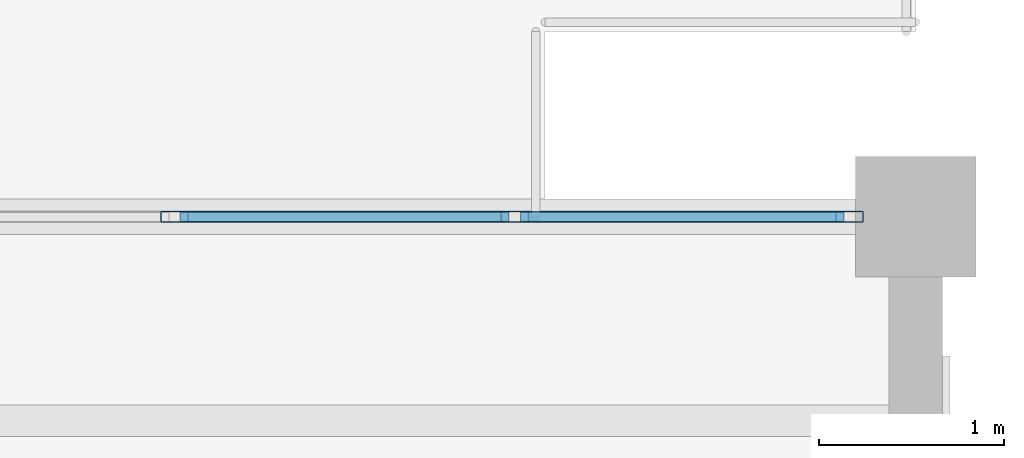
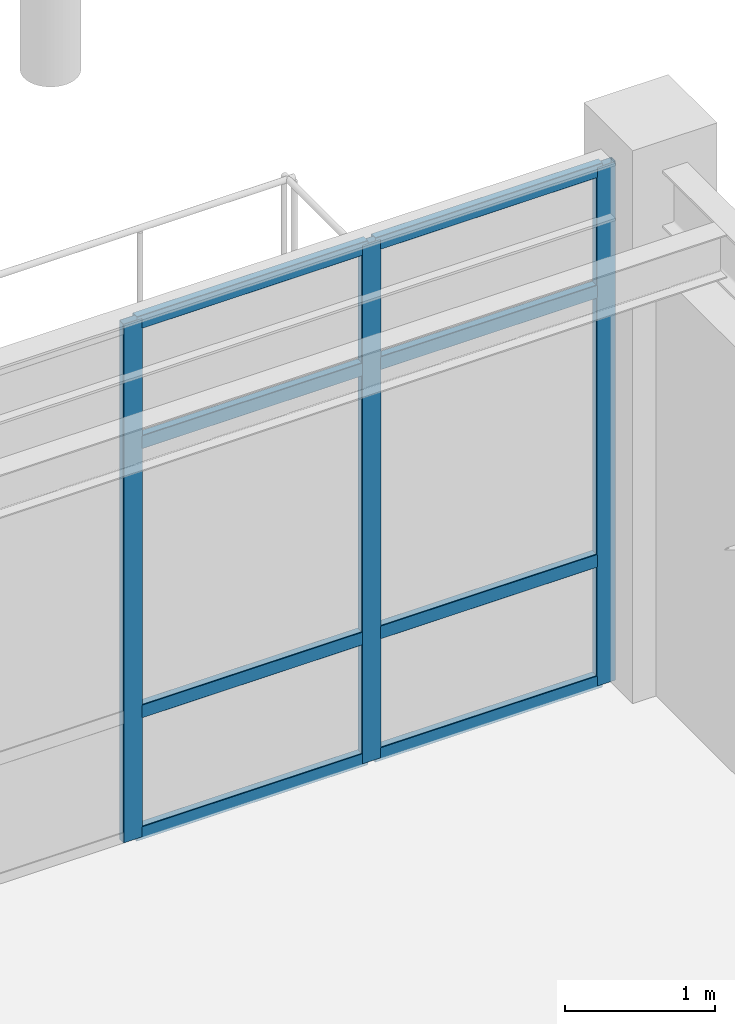
# One storey, part 29 of 78: 11 members, 1 element without a shape of its own.
"""IFC4 building model written with IfcOpenShell, lengths in metres."""

from ifc_helpers import new_model, si_unit, direction, frame, origin, origin_2d, place, context, subcontext, project, spatial, hollow_rectangle, extrude, material, material_profile, profile_set, type_object, element, aggregate, save


model = new_model("IFC4")

# Units and contexts
model_context = context("Model", 3, precision=1e-05, world=origin(), true_north=direction((0.0, 1.0)))
body_context = subcontext(model_context, "Body", "Model", "MODEL_VIEW")
ifc_project = project(units=[si_unit("LENGTHUNIT", "METRE"), si_unit("AREAUNIT", "SQUARE_METRE"), si_unit("VOLUMEUNIT", "CUBIC_METRE"), si_unit("PLANEANGLEUNIT", "RADIAN"), si_unit("MASSUNIT", "GRAM", prefix="KILO")], contexts=[model_context])

# Site, building, storey
site_placement = place(None, origin())
site = spatial("IfcSite", under=ifc_project, at=site_placement, CompositionType="ELEMENT")
building_placement = place(site_placement, origin())
building = spatial("IfcBuilding", under=site, at=building_placement, Name="Solmirada Galleria", CompositionType="ELEMENT")
storey_placement = place(building_placement, frame((0.0, 0.0, 23.89990234375)))
storey = spatial("IfcBuildingStorey", under=building, at=storey_placement, Name="L05", CompositionType="ELEMENT", Elevation=23.89990234375)

# Curtain wall, members
ifc_material_1 = material(Name="Impact-resistant low-E double glazing", Category="glass")
curtain_wall_type = type_object("IfcCurtainWallType", Name="CW-FZ5-L05-B4-L074", PredefinedType="NOTDEFINED", material=ifc_material_1)
curtain_wall_placement = place(storey_placement, origin())
curtain_wall = element("IfcCurtainWall", 1, at=curtain_wall_placement, inside=storey, type_object=curtain_wall_type, Name="Terrace and arcade storefront CW-L05-184", PredefinedType="NOTDEFINED")
ifc_material_2 = material(Name="Anodised aluminium framing", Category="aluminium")
ifc_material_profile_1 = material_profile(ifc_material_2, hollow_rectangle(XDim=0.06005859375, YDim=0.14990234375, WallThickness=0.00341796875, InnerFilletRadius=0.00341796875, OuterFilletRadius=0.007080078125, at=origin_2d()), Name="ALU-MULL-150X60")
ifc_profile_set_1 = profile_set([ifc_material_profile_1], Name="Anodised aluminium framing")
member_type_1 = type_object("IfcMemberType", Name="CW-MULL-150", PredefinedType="MULLION", material=ifc_profile_set_1)
member_1_placement = place(storey_placement, frame((132.0, 24.0, 0.0), z_axis=(0.0, 0.0, 1.0), x_axis=(0.0, 1.0, 0.0)))
member_1 = element("IfcMember", 2, at=member_1_placement, type_object=member_type_1, Name="CW37 mullion 3", PredefinedType="MULLION", context=body_context, shape_type="SweptSolid", body=[
    extrude(hollow_rectangle(XDim=0.06005859375, YDim=0.14990234375, WallThickness=0.00341796875, InnerFilletRadius=0.00341796875, OuterFilletRadius=0.007080078125, at=origin_2d()), origin(), (0.0, 0.0, 1.0), 4.22021484375),
])
member_2_placement = place(storey_placement, frame((133.83642578125, 24.0, 0.0), z_axis=(0.0, 0.0, 1.0), x_axis=(0.0, 1.0, 0.0)))
member_2 = element("IfcMember", 3, at=member_2_placement, type_object=member_type_1, Name="CW37 mullion 4", PredefinedType="MULLION", context=body_context, shape_type="SweptSolid", body=[
    extrude(hollow_rectangle(XDim=0.06005859375, YDim=0.14990234375, WallThickness=0.00341796875, InnerFilletRadius=0.00341796875, OuterFilletRadius=0.007080078125, at=origin_2d()), origin(), (0.0, 0.0, 1.0), 4.22021484375),
])
member_3_placement = place(storey_placement, frame((135.64306640625, 24.0, 0.0), z_axis=(0.0, 0.0, 1.0), x_axis=(0.0, 1.0, 0.0)))
member_3 = element("IfcMember", 4, at=member_3_placement, type_object=member_type_1, Name="CW37 mullion 5", PredefinedType="MULLION", context=body_context, shape_type="SweptSolid", body=[
    extrude(hollow_rectangle(XDim=0.06005859375, YDim=0.14990234375, WallThickness=0.00341796875, InnerFilletRadius=0.00341796875, OuterFilletRadius=0.007080078125, at=origin_2d()), origin(), (0.0, 0.0, 1.0), 4.22021484375),
])
ifc_material_profile_2 = material_profile(ifc_material_2, hollow_rectangle(XDim=0.06005859375, YDim=0.110107421875, WallThickness=0.003173828125, InnerFilletRadius=0.003173828125, OuterFilletRadius=0.00634765625, at=origin_2d()), Name="ALU-TRAN-110X60")
ifc_profile_set_2 = profile_set([ifc_material_profile_2], Name="Anodised aluminium framing")
member_type_2 = type_object("IfcMemberType", Name="CW-TRAN-110", PredefinedType="USERDEFINED", material=ifc_profile_set_2)
member_4_placement = place(storey_placement, frame((132.030029296875, 24.0, 0.030029296875), z_axis=(1.0, 0.0, 0.0), x_axis=(0.0, 1.0, 0.0)))
member_4 = element("IfcMember", 5, at=member_4_placement, type_object=member_type_2, Name="CW37 transom 3.1", ObjectType="TRANSOM", PredefinedType="USERDEFINED", context=body_context, shape_type="SweptSolid", body=[
    extrude(hollow_rectangle(XDim=0.06005859375, YDim=0.110107421875, WallThickness=0.003173828125, InnerFilletRadius=0.003173828125, OuterFilletRadius=0.00634765625, at=origin_2d()), origin(), (0.0, 0.0, 1.0), 1.7763671875),
])
member_5_placement = place(storey_placement, frame((132.030029296875, 24.0, 1.02001953125), z_axis=(1.0, 0.0, 0.0), x_axis=(0.0, 1.0, 0.0)))
member_5 = element("IfcMember", 6, at=member_5_placement, type_object=member_type_2, Name="CW37 transom 3.2", ObjectType="TRANSOM", PredefinedType="USERDEFINED", context=body_context, shape_type="SweptSolid", body=[
    extrude(hollow_rectangle(XDim=0.06005859375, YDim=0.110107421875, WallThickness=0.003173828125, InnerFilletRadius=0.003173828125, OuterFilletRadius=0.00634765625, at=origin_2d()), origin(), (0.0, 0.0, 1.0), 1.7763671875),
])
member_6_placement = place(storey_placement, frame((132.030029296875, 24.0, 3.210205078125), z_axis=(1.0, 0.0, 0.0), x_axis=(0.0, 1.0, 0.0)))
member_6 = element("IfcMember", 7, at=member_6_placement, type_object=member_type_2, Name="CW37 transom 3.3", ObjectType="TRANSOM", PredefinedType="USERDEFINED", context=body_context, shape_type="SweptSolid", body=[
    extrude(hollow_rectangle(XDim=0.06005859375, YDim=0.110107421875, WallThickness=0.003173828125, InnerFilletRadius=0.003173828125, OuterFilletRadius=0.00634765625, at=origin_2d()), origin(), (0.0, 0.0, 1.0), 1.7763671875),
])
member_7_placement = place(storey_placement, frame((132.030029296875, 24.0, 4.190185546875), z_axis=(1.0, 0.0, 0.0), x_axis=(0.0, 1.0, 0.0)))
member_7 = element("IfcMember", 8, at=member_7_placement, type_object=member_type_2, Name="CW37 transom 3.4", ObjectType="TRANSOM", PredefinedType="USERDEFINED", context=body_context, shape_type="SweptSolid", body=[
    extrude(hollow_rectangle(XDim=0.06005859375, YDim=0.110107421875, WallThickness=0.003173828125, InnerFilletRadius=0.003173828125, OuterFilletRadius=0.00634765625, at=origin_2d()), origin(), (0.0, 0.0, 1.0), 1.7763671875),
])
member_8_placement = place(storey_placement, frame((133.866455078125, 24.0, 0.030029296875), z_axis=(1.0, 0.0, 0.0), x_axis=(0.0, 1.0, 0.0)))
member_8 = element("IfcMember", 9, at=member_8_placement, type_object=member_type_2, Name="CW37 transom 4.1", ObjectType="TRANSOM", PredefinedType="USERDEFINED", context=body_context, shape_type="SweptSolid", body=[
    extrude(hollow_rectangle(XDim=0.06005859375, YDim=0.110107421875, WallThickness=0.003173828125, InnerFilletRadius=0.003173828125, OuterFilletRadius=0.00634765625, at=origin_2d()), origin(), (0.0, 0.0, 1.0), 1.74658203125),
])
member_9_placement = place(storey_placement, frame((133.866455078125, 24.0, 1.02001953125), z_axis=(1.0, 0.0, 0.0), x_axis=(0.0, 1.0, 0.0)))
member_9 = element("IfcMember", 10, at=member_9_placement, type_object=member_type_2, Name="CW37 transom 4.2", ObjectType="TRANSOM", PredefinedType="USERDEFINED", context=body_context, shape_type="SweptSolid", body=[
    extrude(hollow_rectangle(XDim=0.06005859375, YDim=0.110107421875, WallThickness=0.003173828125, InnerFilletRadius=0.003173828125, OuterFilletRadius=0.00634765625, at=origin_2d()), origin(), (0.0, 0.0, 1.0), 1.74658203125),
])
member_10_placement = place(storey_placement, frame((133.866455078125, 24.0, 3.210205078125), z_axis=(1.0, 0.0, 0.0), x_axis=(0.0, 1.0, 0.0)))
member_10 = element("IfcMember", 11, at=member_10_placement, type_object=member_type_2, Name="CW37 transom 4.3", ObjectType="TRANSOM", PredefinedType="USERDEFINED", context=body_context, shape_type="SweptSolid", body=[
    extrude(hollow_rectangle(XDim=0.06005859375, YDim=0.110107421875, WallThickness=0.003173828125, InnerFilletRadius=0.003173828125, OuterFilletRadius=0.00634765625, at=origin_2d()), origin(), (0.0, 0.0, 1.0), 1.74658203125),
])
member_11_placement = place(storey_placement, frame((133.866455078125, 24.0, 4.190185546875), z_axis=(1.0, 0.0, 0.0), x_axis=(0.0, 1.0, 0.0)))
member_11 = element("IfcMember", 12, at=member_11_placement, type_object=member_type_2, Name="CW37 transom 4.4", ObjectType="TRANSOM", PredefinedType="USERDEFINED", context=body_context, shape_type="SweptSolid", body=[
    extrude(hollow_rectangle(XDim=0.06005859375, YDim=0.110107421875, WallThickness=0.003173828125, InnerFilletRadius=0.003173828125, OuterFilletRadius=0.00634765625, at=origin_2d()), origin(), (0.0, 0.0, 1.0), 1.74658203125),
])
aggregate(curtain_wall, [member_1, member_2, member_3, member_4, member_5, member_6, member_7, member_8, member_9, member_10, member_11])

save(model, "model.ifc")
